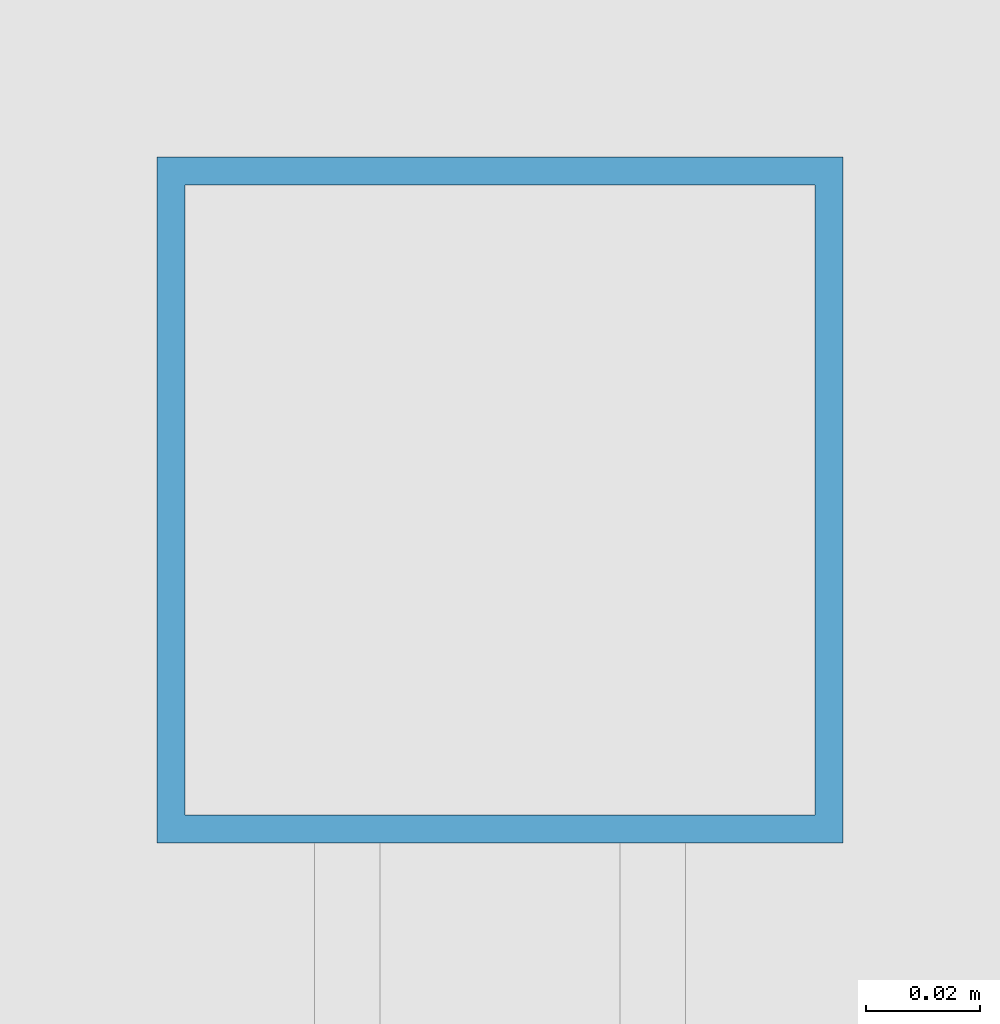
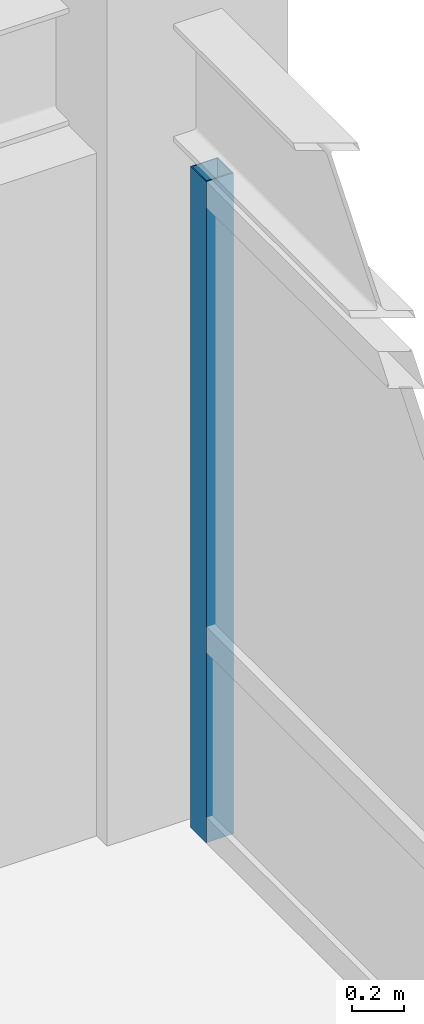
# One storey, part 20 of 28: 1 member, 1 element without a shape of its own.
"""IFC4 building model written with IfcOpenShell, lengths in metres."""

from ifc_helpers import new_model, si_unit, direction, frame, origin, origin_2d, place, context, subcontext, project, spatial, hollow_rectangle, extrude, source, transform, mapped, material, material_profile, profile_set, type_object, element, aggregate, save


model = new_model("IFC4")

# Units and contexts
model_context = context("Model", 3, precision=1e-05, world=origin(), true_north=direction((0.0, 1.0)))
body_context = subcontext(model_context, "Body", "Model", "MODEL_VIEW")
ifc_project = project(units=[si_unit("LENGTHUNIT", "METRE"), si_unit("AREAUNIT", "SQUARE_METRE"), si_unit("VOLUMEUNIT", "CUBIC_METRE"), si_unit("PLANEANGLEUNIT", "RADIAN"), si_unit("MASSUNIT", "GRAM", prefix="KILO")], contexts=[model_context])

# Site, building, storey
site_placement = place(None, origin())
site = spatial("IfcSite", under=ifc_project, at=site_placement, CompositionType="ELEMENT")
building_placement = place(site_placement, origin())
building = spatial("IfcBuilding", under=site, at=building_placement, Name="Khorayat Bourse Tower", CompositionType="ELEMENT")
storey_placement = place(building_placement, frame((0.0, 0.0, 338.300048828125)))
storey = spatial("IfcBuildingStorey", under=building, at=storey_placement, Name="L80", CompositionType="ELEMENT", Elevation=338.300048828125)

# Curtain wall, member
ifc_material = material(Name="Aluminium EN AW-6063 T6", Category="aluminium")
curtain_wall_type = type_object("IfcCurtainWallType", Name="CW-SYS-04", PredefinedType="NOTDEFINED", material=ifc_material)
curtain_wall_placement = place(storey_placement, origin())
curtain_wall = element("IfcCurtainWall", 1, at=curtain_wall_placement, inside=storey, type_object=curtain_wall_type, Name="L80 Curtain Wall CW-L80-E1", PredefinedType="NOTDEFINED")
ifc_material_profile = material_profile(ifc_material, hollow_rectangle(XDim=0.1201171875, YDim=0.1201171875, WallThickness=0.0048828125, at=origin_2d()), Name="ALU 120x120x5")
ifc_profile_set = profile_set([ifc_material_profile], Name="Aluminium EN AW-6063 T6")
member_type = type_object("IfcMemberType", Name="CWM-VERT-120", PredefinedType="MULLION", material=ifc_profile_set)
shared_shape = source(origin(), body_context, "Body", "SweptSolid", [
    extrude(hollow_rectangle(XDim=0.1201171875, YDim=0.1201171875, WallThickness=0.0048828125, at=origin_2d()), origin(), (0.0, 0.0, 1.0), 3.08984375),
])
member_placement = place(storey_placement, frame((26.0, 19.489990234375, 0.0), z_axis=(0.0, 0.0, 1.0), x_axis=(-1.0, 0.0, 0.0)))
member = element("IfcMember", 2, at=member_placement, type_object=member_type, Name="CW-L80-E1 Vertical Mullion 3", PredefinedType="MULLION", context=body_context, shape_type="MappedRepresentation", body=[
    mapped(shared_shape, transform((0.0, 0.0, 0.0), scale=1.0)),
])
aggregate(curtain_wall, [member])

save(model, "model.ifc")
